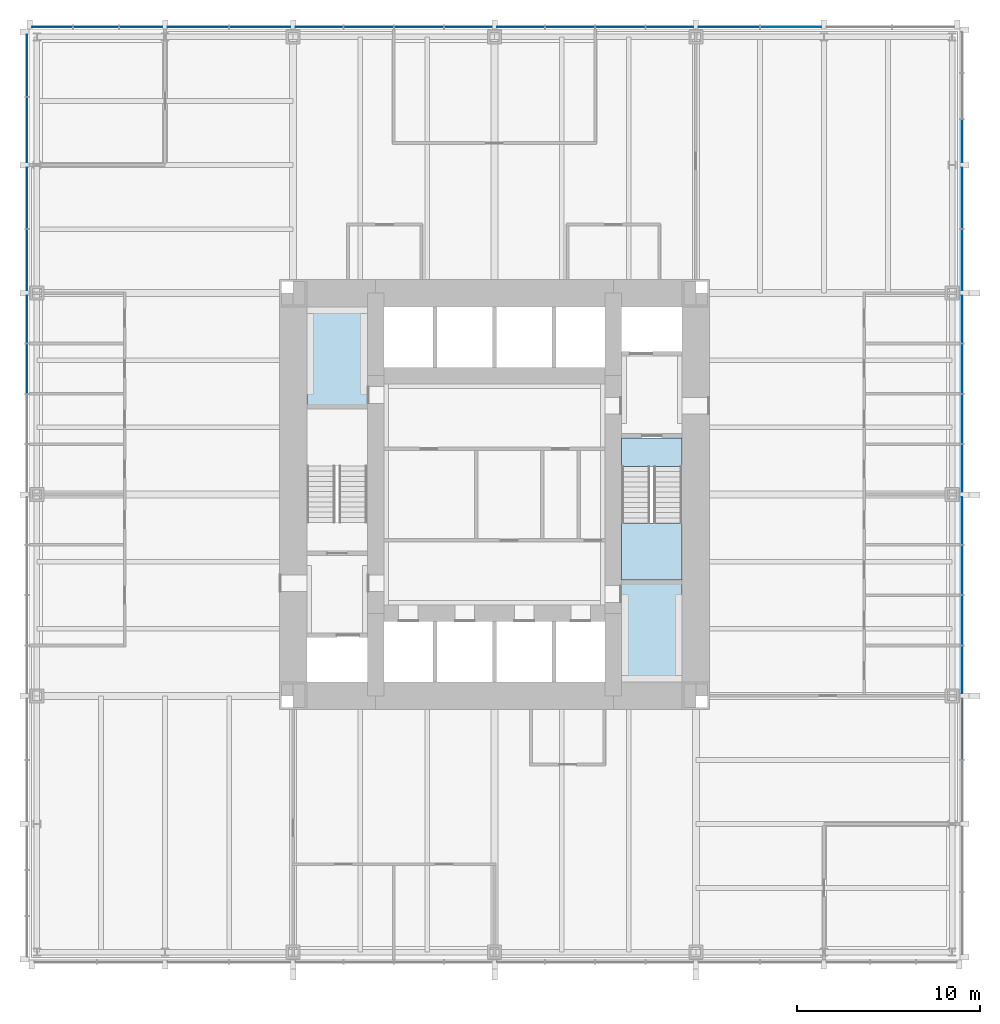
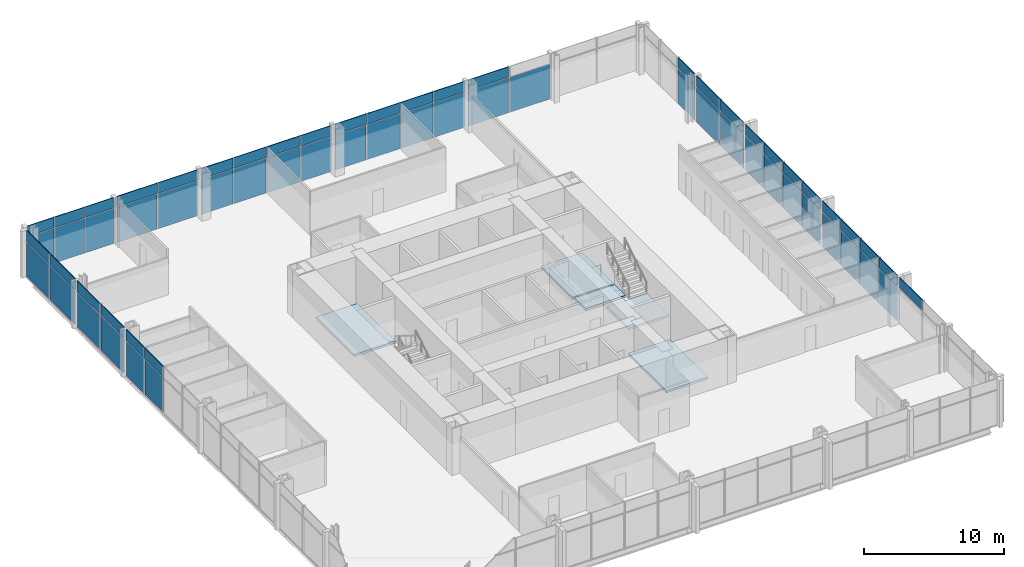
# One storey, part 8 of 13: 64 plates, 5 slabs, 4 elements without a shape of their own.
"""IFC4 building model written with IfcOpenShell, lengths in metres."""

from ifc_helpers import new_model, si_unit, direction, frame, origin, origin_2d, place, context, subcontext, project, spatial, polyline, rectangle, outline, extrude, material, layer, layer_set, type_object, element, aggregate, save


model = new_model("IFC4")

# Units and contexts
model_context = context("Model", 3, precision=1e-05, world=origin(), true_north=direction((0.0, 1.0)))
body_context = subcontext(model_context, "Body", "Model", "MODEL_VIEW")
ifc_project = project(units=[si_unit("LENGTHUNIT", "METRE"), si_unit("AREAUNIT", "SQUARE_METRE"), si_unit("VOLUMEUNIT", "CUBIC_METRE"), si_unit("PLANEANGLEUNIT", "RADIAN"), si_unit("MASSUNIT", "GRAM", prefix="KILO")], contexts=[model_context])

# Site, building, storey
site_placement = place(None, origin())
site = spatial("IfcSite", under=ifc_project, at=site_placement, CompositionType="ELEMENT")
building_placement = place(site_placement, origin())
building = spatial("IfcBuilding", under=site, at=building_placement, Name="Trevanion Tower", CompositionType="ELEMENT")
storey_placement = place(building_placement, frame((0.0, 0.0, 81.60009765625)))
storey = spatial("IfcBuildingStorey", under=building, at=storey_placement, Name="L19", CompositionType="ELEMENT", Elevation=81.60009765625)

# Curtain wall, plates
ifc_material_1 = material(Name="Aluminium and glass", Category="aluminium")
curtain_wall_type = type_object("IfcCurtainWallType", Name="CW1 curtain wall", PredefinedType="USERDEFINED", material=ifc_material_1)
curtain_wall_1_placement = place(storey_placement, origin())
curtain_wall_1 = element("IfcCurtainWall", 1, at=curtain_wall_1_placement, inside=storey, type_object=curtain_wall_type, Name="CW1 L19 0", ObjectType="UNITISED CURTAIN WALL", PredefinedType="USERDEFINED")
ifc_material_2 = material(Name="Aluminium spandrel panel", Category="aluminium")
ifc_layer_1 = layer(ifc_material_2, 0.06005859375)
ifc_layer_set_1 = layer_set([ifc_layer_1], Name="CW1 spandrel panel")
plate_type_1 = type_object("IfcPlateType", Name="CW1 spandrel panel", PredefinedType="CURTAIN_PANEL", material=ifc_layer_set_1)
plate_1_placement = place(storey_placement, frame((25.550048828125, -12.806396484375, 2.997314453125), z_axis=(0.0, 0.0, 1.0), x_axis=(0.0, 1.0, 0.0)))
plate_1 = element("IfcPlate", 2, at=plate_1_placement, type_object=plate_type_1, Name="CW1 panel 4.2", PredefinedType="CURTAIN_PANEL", context=body_context, shape_type="SweptSolid", body=[
    extrude(rectangle(XDim=3.3125, YDim=0.06005859375, at=origin_2d()), origin(), (0.0, 0.0, 1.0), 0.91259765625),
])
plate_2_placement = place(storey_placement, frame((25.550048828125, -9.56884765625, 2.997314453125), z_axis=(0.0, 0.0, 1.0), x_axis=(0.0, 1.0, 0.0)))
plate_2 = element("IfcPlate", 3, at=plate_2_placement, type_object=plate_type_1, Name="CW1 panel 5.2", PredefinedType="CURTAIN_PANEL", context=body_context, shape_type="SweptSolid", body=[
    extrude(rectangle(XDim=2.5625, YDim=0.06005859375, at=origin_2d()), origin(), (0.0, 0.0, 1.0), 0.91259765625),
])
plate_3_placement = place(storey_placement, frame((25.550048828125, -6.875, 2.997314453125), z_axis=(0.0, 0.0, 1.0), x_axis=(0.0, 1.0, 0.0)))
plate_3 = element("IfcPlate", 4, at=plate_3_placement, type_object=plate_type_1, Name="CW1 panel 6.2", PredefinedType="CURTAIN_PANEL", context=body_context, shape_type="SweptSolid", body=[
    extrude(rectangle(XDim=2.675048828125, YDim=0.06005859375, at=origin_2d()), origin(), (0.0, 0.0, 1.0), 0.91259765625),
])
plate_4_placement = place(storey_placement, frame((25.550048828125, -4.125, 2.997314453125), z_axis=(0.0, 0.0, 1.0), x_axis=(0.0, 1.0, 0.0)))
plate_4 = element("IfcPlate", 5, at=plate_4_placement, type_object=plate_type_1, Name="CW1 panel 7.2", PredefinedType="CURTAIN_PANEL", context=body_context, shape_type="SweptSolid", body=[
    extrude(rectangle(XDim=2.675048828125, YDim=0.06005859375, at=origin_2d()), origin(), (0.0, 0.0, 1.0), 0.91259765625),
])
plate_5_placement = place(storey_placement, frame((25.550048828125, -1.43115234375, 2.997314453125), z_axis=(0.0, 0.0, 1.0), x_axis=(0.0, 1.0, 0.0)))
plate_5 = element("IfcPlate", 6, at=plate_5_placement, type_object=plate_type_1, Name="CW1 panel 8.2", PredefinedType="CURTAIN_PANEL", context=body_context, shape_type="SweptSolid", body=[
    extrude(rectangle(XDim=2.5625, YDim=0.06005859375, at=origin_2d()), origin(), (0.0, 0.0, 1.0), 0.91259765625),
])
plate_6_placement = place(storey_placement, frame((25.550048828125, 1.43115234375, 2.997314453125), z_axis=(0.0, 0.0, 1.0), x_axis=(0.0, 1.0, 0.0)))
plate_6 = element("IfcPlate", 7, at=plate_6_placement, type_object=plate_type_1, Name="CW1 panel 9.2", PredefinedType="CURTAIN_PANEL", context=body_context, shape_type="SweptSolid", body=[
    extrude(rectangle(XDim=2.5625, YDim=0.06005859375, at=origin_2d()), origin(), (0.0, 0.0, 1.0), 0.91259765625),
])
plate_7_placement = place(storey_placement, frame((25.550048828125, 4.125, 2.997314453125), z_axis=(0.0, 0.0, 1.0), x_axis=(0.0, 1.0, 0.0)))
plate_7 = element("IfcPlate", 8, at=plate_7_placement, type_object=plate_type_1, Name="CW1 panel 10.2", PredefinedType="CURTAIN_PANEL", context=body_context, shape_type="SweptSolid", body=[
    extrude(rectangle(XDim=2.675048828125, YDim=0.06005859375, at=origin_2d()), origin(), (0.0, 0.0, 1.0), 0.91259765625),
])
plate_8_placement = place(storey_placement, frame((25.550048828125, 6.875, 2.997314453125), z_axis=(0.0, 0.0, 1.0), x_axis=(0.0, 1.0, 0.0)))
plate_8 = element("IfcPlate", 9, at=plate_8_placement, type_object=plate_type_1, Name="CW1 panel 11.2", PredefinedType="CURTAIN_PANEL", context=body_context, shape_type="SweptSolid", body=[
    extrude(rectangle(XDim=2.675048828125, YDim=0.06005859375, at=origin_2d()), origin(), (0.0, 0.0, 1.0), 0.91259765625),
])
plate_9_placement = place(storey_placement, frame((25.550048828125, 9.56884765625, 2.997314453125), z_axis=(0.0, 0.0, 1.0), x_axis=(0.0, 1.0, 0.0)))
plate_9 = element("IfcPlate", 10, at=plate_9_placement, type_object=plate_type_1, Name="CW1 panel 12.2", PredefinedType="CURTAIN_PANEL", context=body_context, shape_type="SweptSolid", body=[
    extrude(rectangle(XDim=2.5625, YDim=0.06005859375, at=origin_2d()), origin(), (0.0, 0.0, 1.0), 0.91259765625),
])
plate_10_placement = place(storey_placement, frame((25.550048828125, 12.80615234375, 2.997314453125), z_axis=(0.0, 0.0, 1.0), x_axis=(0.0, 1.0, 0.0)))
plate_10 = element("IfcPlate", 11, at=plate_10_placement, type_object=plate_type_1, Name="CW1 panel 13.2", PredefinedType="CURTAIN_PANEL", context=body_context, shape_type="SweptSolid", body=[
    extrude(rectangle(XDim=3.3125, YDim=0.06005859375, at=origin_2d()), origin(), (0.0, 0.0, 1.0), 0.91259765625),
])
plate_11_placement = place(storey_placement, frame((25.550048828125, 16.19384765625, 2.997314453125), z_axis=(0.0, 0.0, 1.0), x_axis=(0.0, 1.0, 0.0)))
plate_11 = element("IfcPlate", 12, at=plate_11_placement, type_object=plate_type_1, Name="CW1 panel 14.2", PredefinedType="CURTAIN_PANEL", context=body_context, shape_type="SweptSolid", body=[
    extrude(rectangle(XDim=3.3125, YDim=0.06005859375, at=origin_2d()), origin(), (0.0, 0.0, 1.0), 0.91259765625),
])
plate_12_placement = place(storey_placement, frame((25.550048828125, 19.314697265625, 2.997314453125), z_axis=(0.0, 0.0, 1.0), x_axis=(0.0, 1.0, 0.0)))
plate_12 = element("IfcPlate", 13, at=plate_12_placement, type_object=plate_type_1, Name="CW1 panel 15.2", PredefinedType="CURTAIN_PANEL", context=body_context, shape_type="SweptSolid", body=[
    extrude(rectangle(XDim=2.3291015625, YDim=0.06005859375, at=origin_2d()), origin(), (0.0, 0.0, 1.0), 0.91259765625),
])

curtain_wall_2_placement = place(storey_placement, origin())
curtain_wall_2 = element("IfcCurtainWall", 14, at=curtain_wall_2_placement, inside=storey, type_object=curtain_wall_type, Name="CW1 L19 1", ObjectType="UNITISED CURTAIN WALL", PredefinedType="USERDEFINED")
plate_13_placement = place(storey_placement, frame((12.806396484375, 25.550048828125, 2.997314453125), z_axis=(0.0, 0.0, 1.0), x_axis=(-1.0, 0.0, 0.0)))
plate_13 = element("IfcPlate", 15, at=plate_13_placement, type_object=plate_type_1, Name="CW1 panel 4.2", PredefinedType="CURTAIN_PANEL", context=body_context, shape_type="SweptSolid", body=[
    extrude(rectangle(XDim=3.3125, YDim=0.06005859375, at=origin_2d()), origin(), (0.0, 0.0, 1.0), 0.91259765625),
])
plate_14_placement = place(storey_placement, frame((9.56884765625, 25.550048828125, 2.997314453125), z_axis=(0.0, 0.0, 1.0), x_axis=(-1.0, 0.0, 0.0)))
plate_14 = element("IfcPlate", 16, at=plate_14_placement, type_object=plate_type_1, Name="CW1 panel 5.2", PredefinedType="CURTAIN_PANEL", context=body_context, shape_type="SweptSolid", body=[
    extrude(rectangle(XDim=2.5625, YDim=0.06005859375, at=origin_2d()), origin(), (0.0, 0.0, 1.0), 0.91259765625),
])
plate_15_placement = place(storey_placement, frame((6.875, 25.550048828125, 2.997314453125), z_axis=(0.0, 0.0, 1.0), x_axis=(-1.0, 0.0, 0.0)))
plate_15 = element("IfcPlate", 17, at=plate_15_placement, type_object=plate_type_1, Name="CW1 panel 6.2", PredefinedType="CURTAIN_PANEL", context=body_context, shape_type="SweptSolid", body=[
    extrude(rectangle(XDim=2.675048828125, YDim=0.06005859375, at=origin_2d()), origin(), (0.0, 0.0, 1.0), 0.91259765625),
])
plate_16_placement = place(storey_placement, frame((4.125, 25.550048828125, 2.997314453125), z_axis=(0.0, 0.0, 1.0), x_axis=(-1.0, 0.0, 0.0)))
plate_16 = element("IfcPlate", 18, at=plate_16_placement, type_object=plate_type_1, Name="CW1 panel 7.2", PredefinedType="CURTAIN_PANEL", context=body_context, shape_type="SweptSolid", body=[
    extrude(rectangle(XDim=2.675048828125, YDim=0.06005859375, at=origin_2d()), origin(), (0.0, 0.0, 1.0), 0.91259765625),
])
plate_17_placement = place(storey_placement, frame((1.43115234375, 25.550048828125, 2.997314453125), z_axis=(0.0, 0.0, 1.0), x_axis=(-1.0, 0.0, 0.0)))
plate_17 = element("IfcPlate", 19, at=plate_17_placement, type_object=plate_type_1, Name="CW1 panel 8.2", PredefinedType="CURTAIN_PANEL", context=body_context, shape_type="SweptSolid", body=[
    extrude(rectangle(XDim=2.5625, YDim=0.06005859375, at=origin_2d()), origin(), (0.0, 0.0, 1.0), 0.91259765625),
])
plate_18_placement = place(storey_placement, frame((-1.43115234375, 25.550048828125, 2.997314453125), z_axis=(0.0, 0.0, 1.0), x_axis=(-1.0, 0.0, 0.0)))
plate_18 = element("IfcPlate", 20, at=plate_18_placement, type_object=plate_type_1, Name="CW1 panel 9.2", PredefinedType="CURTAIN_PANEL", context=body_context, shape_type="SweptSolid", body=[
    extrude(rectangle(XDim=2.5625, YDim=0.06005859375, at=origin_2d()), origin(), (0.0, 0.0, 1.0), 0.91259765625),
])
plate_19_placement = place(storey_placement, frame((-4.125, 25.550048828125, 2.997314453125), z_axis=(0.0, 0.0, 1.0), x_axis=(-1.0, 0.0, 0.0)))
plate_19 = element("IfcPlate", 21, at=plate_19_placement, type_object=plate_type_1, Name="CW1 panel 10.2", PredefinedType="CURTAIN_PANEL", context=body_context, shape_type="SweptSolid", body=[
    extrude(rectangle(XDim=2.675048828125, YDim=0.06005859375, at=origin_2d()), origin(), (0.0, 0.0, 1.0), 0.91259765625),
])
plate_20_placement = place(storey_placement, frame((-6.875, 25.550048828125, 2.997314453125), z_axis=(0.0, 0.0, 1.0), x_axis=(-1.0, 0.0, 0.0)))
plate_20 = element("IfcPlate", 22, at=plate_20_placement, type_object=plate_type_1, Name="CW1 panel 11.2", PredefinedType="CURTAIN_PANEL", context=body_context, shape_type="SweptSolid", body=[
    extrude(rectangle(XDim=2.675048828125, YDim=0.06005859375, at=origin_2d()), origin(), (0.0, 0.0, 1.0), 0.91259765625),
])
plate_21_placement = place(storey_placement, frame((-9.56884765625, 25.550048828125, 2.997314453125), z_axis=(0.0, 0.0, 1.0), x_axis=(-1.0, 0.0, 0.0)))
plate_21 = element("IfcPlate", 23, at=plate_21_placement, type_object=plate_type_1, Name="CW1 panel 12.2", PredefinedType="CURTAIN_PANEL", context=body_context, shape_type="SweptSolid", body=[
    extrude(rectangle(XDim=2.5625, YDim=0.06005859375, at=origin_2d()), origin(), (0.0, 0.0, 1.0), 0.91259765625),
])
plate_22_placement = place(storey_placement, frame((-12.80615234375, 25.550048828125, 2.997314453125), z_axis=(0.0, 0.0, 1.0), x_axis=(-1.0, 0.0, 0.0)))
plate_22 = element("IfcPlate", 24, at=plate_22_placement, type_object=plate_type_1, Name="CW1 panel 13.2", PredefinedType="CURTAIN_PANEL", context=body_context, shape_type="SweptSolid", body=[
    extrude(rectangle(XDim=3.3125, YDim=0.06005859375, at=origin_2d()), origin(), (0.0, 0.0, 1.0), 0.91259765625),
])
plate_23_placement = place(storey_placement, frame((-16.19384765625, 25.550048828125, 2.997314453125), z_axis=(0.0, 0.0, 1.0), x_axis=(-1.0, 0.0, 0.0)))
plate_23 = element("IfcPlate", 25, at=plate_23_placement, type_object=plate_type_1, Name="CW1 panel 14.2", PredefinedType="CURTAIN_PANEL", context=body_context, shape_type="SweptSolid", body=[
    extrude(rectangle(XDim=3.3125, YDim=0.06005859375, at=origin_2d()), origin(), (0.0, 0.0, 1.0), 0.91259765625),
])
plate_24_placement = place(storey_placement, frame((-19.314697265625, 25.550048828125, 2.997314453125), z_axis=(0.0, 0.0, 1.0), x_axis=(-1.0, 0.0, 0.0)))
plate_24 = element("IfcPlate", 26, at=plate_24_placement, type_object=plate_type_1, Name="CW1 panel 15.2", PredefinedType="CURTAIN_PANEL", context=body_context, shape_type="SweptSolid", body=[
    extrude(rectangle(XDim=2.3291015625, YDim=0.06005859375, at=origin_2d()), origin(), (0.0, 0.0, 1.0), 0.91259765625),
])
plate_25_placement = place(storey_placement, frame((-21.77490234375, 25.550048828125, 2.997314453125), z_axis=(0.0, 0.0, 1.0), x_axis=(-1.0, 0.0, 0.0)))
plate_25 = element("IfcPlate", 27, at=plate_25_placement, type_object=plate_type_1, Name="CW1 panel 16.2", PredefinedType="CURTAIN_PANEL", context=body_context, shape_type="SweptSolid", body=[
    extrude(rectangle(XDim=2.441650390625, YDim=0.06005859375, at=origin_2d()), origin(), (0.0, 0.0, 1.0), 0.91259765625),
])
plate_26_placement = place(storey_placement, frame((-24.160400390625, 25.550048828125, 2.997314453125), z_axis=(0.0, 0.0, 1.0), x_axis=(-1.0, 0.0, 0.0)))
plate_26 = element("IfcPlate", 28, at=plate_26_placement, type_object=plate_type_1, Name="CW1 panel 17.2", PredefinedType="CURTAIN_PANEL", context=body_context, shape_type="SweptSolid", body=[
    extrude(rectangle(XDim=2.17919921875, YDim=0.06005859375, at=origin_2d()), origin(), (0.0, 0.0, 1.0), 0.91259765625),
])

curtain_wall_3_placement = place(storey_placement, origin())
curtain_wall_3 = element("IfcCurtainWall", 29, at=curtain_wall_3_placement, inside=storey, type_object=curtain_wall_type, Name="CW1 L19 2", ObjectType="UNITISED CURTAIN WALL", PredefinedType="USERDEFINED")
plate_27_placement = place(storey_placement, frame((-25.550048828125, 23.433837890625, 2.997314453125), z_axis=(0.0, 0.0, 1.0), x_axis=(0.0, -1.0, 0.0)))
plate_27 = element("IfcPlate", 30, at=plate_27_placement, type_object=plate_type_1, Name="CW1 panel 1.2", PredefinedType="CURTAIN_PANEL", context=body_context, shape_type="SweptSolid", body=[
    extrude(rectangle(XDim=3.37255859375, YDim=0.06005859375, at=origin_2d()), origin(), (0.0, 0.0, 1.0), 0.91259765625),
])
plate_28_placement = place(storey_placement, frame((-25.550048828125, 19.911376953125, 2.997314453125), z_axis=(0.0, 0.0, 1.0), x_axis=(0.0, -1.0, 0.0)))
plate_28 = element("IfcPlate", 31, at=plate_28_placement, type_object=plate_type_1, Name="CW1 panel 2.2", PredefinedType="CURTAIN_PANEL", context=body_context, shape_type="SweptSolid", body=[
    extrude(rectangle(XDim=3.5224609375, YDim=0.06005859375, at=origin_2d()), origin(), (0.0, 0.0, 1.0), 0.91259765625),
])
plate_29_placement = place(storey_placement, frame((-25.550048828125, 16.19384765625, 2.997314453125), z_axis=(0.0, 0.0, 1.0), x_axis=(0.0, -1.0, 0.0)))
plate_29 = element("IfcPlate", 32, at=plate_29_placement, type_object=plate_type_1, Name="CW1 panel 3.2", PredefinedType="CURTAIN_PANEL", context=body_context, shape_type="SweptSolid", body=[
    extrude(rectangle(XDim=3.3125, YDim=0.06005859375, at=origin_2d()), origin(), (0.0, 0.0, 1.0), 0.91259765625),
])
plate_30_placement = place(storey_placement, frame((-25.550048828125, 12.806396484375, 2.997314453125), z_axis=(0.0, 0.0, 1.0), x_axis=(0.0, -1.0, 0.0)))
plate_30 = element("IfcPlate", 33, at=plate_30_placement, type_object=plate_type_1, Name="CW1 panel 4.2", PredefinedType="CURTAIN_PANEL", context=body_context, shape_type="SweptSolid", body=[
    extrude(rectangle(XDim=3.3125, YDim=0.06005859375, at=origin_2d()), origin(), (0.0, 0.0, 1.0), 0.91259765625),
])
plate_31_placement = place(storey_placement, frame((-25.550048828125, 9.56884765625, 2.997314453125), z_axis=(0.0, 0.0, 1.0), x_axis=(0.0, -1.0, 0.0)))
plate_31 = element("IfcPlate", 34, at=plate_31_placement, type_object=plate_type_1, Name="CW1 panel 5.2", PredefinedType="CURTAIN_PANEL", context=body_context, shape_type="SweptSolid", body=[
    extrude(rectangle(XDim=2.5625, YDim=0.06005859375, at=origin_2d()), origin(), (0.0, 0.0, 1.0), 0.91259765625),
])
plate_32_placement = place(storey_placement, frame((-25.550048828125, 6.875, 2.997314453125), z_axis=(0.0, 0.0, 1.0), x_axis=(0.0, -1.0, 0.0)))
plate_32 = element("IfcPlate", 35, at=plate_32_placement, type_object=plate_type_1, Name="CW1 panel 6.2", PredefinedType="CURTAIN_PANEL", context=body_context, shape_type="SweptSolid", body=[
    extrude(rectangle(XDim=2.675048828125, YDim=0.06005859375, at=origin_2d()), origin(), (0.0, 0.0, 1.0), 0.91259765625),
])

# Plate
ifc_material_3 = material(Name="Insulating glass unit", Category="glass")
ifc_layer_2 = layer(ifc_material_3, 0.028076171875)
ifc_layer_set_2 = layer_set([ifc_layer_2], Name="CW1 vision panel")
plate_type_2 = type_object("IfcPlateType", Name="CW1 vision panel", PredefinedType="CURTAIN_PANEL", material=ifc_layer_set_2)
plate_33_placement = place(storey_placement, frame((25.550048828125, -9.56884765625, -0.115234375), z_axis=(0.0, 0.0, 1.0), x_axis=(0.0, 1.0, 0.0)))
plate_33 = element("IfcPlate", 36, at=plate_33_placement, type_object=plate_type_2, Name="CW1 panel 5.1", PredefinedType="CURTAIN_PANEL", context=body_context, shape_type="SweptSolid", body=[
    extrude(rectangle(XDim=2.5625, YDim=0.028076171875, at=origin_2d()), origin(), (0.0, 0.0, 1.0), 3.03759765625),
])

plate_34_placement = place(storey_placement, frame((25.550048828125, -6.875, -0.115234375), z_axis=(0.0, 0.0, 1.0), x_axis=(0.0, 1.0, 0.0)))
plate_34 = element("IfcPlate", 37, at=plate_34_placement, type_object=plate_type_2, Name="CW1 panel 6.1", PredefinedType="CURTAIN_PANEL", context=body_context, shape_type="SweptSolid", body=[
    extrude(rectangle(XDim=2.675048828125, YDim=0.028076171875, at=origin_2d()), origin(), (0.0, 0.0, 1.0), 3.03759765625),
])

plate_35_placement = place(storey_placement, frame((25.550048828125, -4.125, -0.115234375), z_axis=(0.0, 0.0, 1.0), x_axis=(0.0, 1.0, 0.0)))
plate_35 = element("IfcPlate", 38, at=plate_35_placement, type_object=plate_type_2, Name="CW1 panel 7.1", PredefinedType="CURTAIN_PANEL", context=body_context, shape_type="SweptSolid", body=[
    extrude(rectangle(XDim=2.675048828125, YDim=0.028076171875, at=origin_2d()), origin(), (0.0, 0.0, 1.0), 3.03759765625),
])

plate_36_placement = place(storey_placement, frame((25.550048828125, -1.43115234375, -0.115234375), z_axis=(0.0, 0.0, 1.0), x_axis=(0.0, 1.0, 0.0)))
plate_36 = element("IfcPlate", 39, at=plate_36_placement, type_object=plate_type_2, Name="CW1 panel 8.1", PredefinedType="CURTAIN_PANEL", context=body_context, shape_type="SweptSolid", body=[
    extrude(rectangle(XDim=2.5625, YDim=0.028076171875, at=origin_2d()), origin(), (0.0, 0.0, 1.0), 3.03759765625),
])

plate_37_placement = place(storey_placement, frame((25.550048828125, 1.43115234375, -0.115234375), z_axis=(0.0, 0.0, 1.0), x_axis=(0.0, 1.0, 0.0)))
plate_37 = element("IfcPlate", 40, at=plate_37_placement, type_object=plate_type_2, Name="CW1 panel 9.1", PredefinedType="CURTAIN_PANEL", context=body_context, shape_type="SweptSolid", body=[
    extrude(rectangle(XDim=2.5625, YDim=0.028076171875, at=origin_2d()), origin(), (0.0, 0.0, 1.0), 3.03759765625),
])

plate_38_placement = place(storey_placement, frame((25.550048828125, 4.125, -0.115234375), z_axis=(0.0, 0.0, 1.0), x_axis=(0.0, 1.0, 0.0)))
plate_38 = element("IfcPlate", 41, at=plate_38_placement, type_object=plate_type_2, Name="CW1 panel 10.1", PredefinedType="CURTAIN_PANEL", context=body_context, shape_type="SweptSolid", body=[
    extrude(rectangle(XDim=2.675048828125, YDim=0.028076171875, at=origin_2d()), origin(), (0.0, 0.0, 1.0), 3.03759765625),
])

plate_39_placement = place(storey_placement, frame((25.550048828125, 6.875, -0.115234375), z_axis=(0.0, 0.0, 1.0), x_axis=(0.0, 1.0, 0.0)))
plate_39 = element("IfcPlate", 42, at=plate_39_placement, type_object=plate_type_2, Name="CW1 panel 11.1", PredefinedType="CURTAIN_PANEL", context=body_context, shape_type="SweptSolid", body=[
    extrude(rectangle(XDim=2.675048828125, YDim=0.028076171875, at=origin_2d()), origin(), (0.0, 0.0, 1.0), 3.03759765625),
])

plate_40_placement = place(storey_placement, frame((25.550048828125, 9.56884765625, -0.115234375), z_axis=(0.0, 0.0, 1.0), x_axis=(0.0, 1.0, 0.0)))
plate_40 = element("IfcPlate", 43, at=plate_40_placement, type_object=plate_type_2, Name="CW1 panel 12.1", PredefinedType="CURTAIN_PANEL", context=body_context, shape_type="SweptSolid", body=[
    extrude(rectangle(XDim=2.5625, YDim=0.028076171875, at=origin_2d()), origin(), (0.0, 0.0, 1.0), 3.03759765625),
])

plate_41_placement = place(storey_placement, frame((25.550048828125, 12.80615234375, -0.115234375), z_axis=(0.0, 0.0, 1.0), x_axis=(0.0, 1.0, 0.0)))
plate_41 = element("IfcPlate", 44, at=plate_41_placement, type_object=plate_type_2, Name="CW1 panel 13.1", PredefinedType="CURTAIN_PANEL", context=body_context, shape_type="SweptSolid", body=[
    extrude(rectangle(XDim=3.3125, YDim=0.028076171875, at=origin_2d()), origin(), (0.0, 0.0, 1.0), 3.03759765625),
])

plate_42_placement = place(storey_placement, frame((25.550048828125, 16.19384765625, -0.115234375), z_axis=(0.0, 0.0, 1.0), x_axis=(0.0, 1.0, 0.0)))
plate_42 = element("IfcPlate", 45, at=plate_42_placement, type_object=plate_type_2, Name="CW1 panel 14.1", PredefinedType="CURTAIN_PANEL", context=body_context, shape_type="SweptSolid", body=[
    extrude(rectangle(XDim=3.3125, YDim=0.028076171875, at=origin_2d()), origin(), (0.0, 0.0, 1.0), 3.03759765625),
])

plate_43_placement = place(storey_placement, frame((25.550048828125, 19.314697265625, -0.115234375), z_axis=(0.0, 0.0, 1.0), x_axis=(0.0, 1.0, 0.0)))
plate_43 = element("IfcPlate", 46, at=plate_43_placement, type_object=plate_type_2, Name="CW1 panel 15.1", PredefinedType="CURTAIN_PANEL", context=body_context, shape_type="SweptSolid", body=[
    extrude(rectangle(XDim=2.3291015625, YDim=0.028076171875, at=origin_2d()), origin(), (0.0, 0.0, 1.0), 3.03759765625),
])

aggregate(curtain_wall_1, [plate_1, plate_33, plate_2, plate_34, plate_3, plate_35, plate_4, plate_36, plate_5, plate_37, plate_6, plate_38, plate_7, plate_39, plate_8, plate_40, plate_9, plate_41, plate_10, plate_42, plate_11, plate_43, plate_12])

plate_44_placement = place(storey_placement, frame((16.19384765625, 25.550048828125, -0.115234375), z_axis=(0.0, 0.0, 1.0), x_axis=(-1.0, 0.0, 0.0)))
plate_44 = element("IfcPlate", 47, at=plate_44_placement, type_object=plate_type_2, Name="CW1 panel 3.1", PredefinedType="CURTAIN_PANEL", context=body_context, shape_type="SweptSolid", body=[
    extrude(rectangle(XDim=3.3125, YDim=0.028076171875, at=origin_2d()), origin(), (0.0, 0.0, 1.0), 3.03759765625),
])

plate_45_placement = place(storey_placement, frame((12.806396484375, 25.550048828125, -0.115234375), z_axis=(0.0, 0.0, 1.0), x_axis=(-1.0, 0.0, 0.0)))
plate_45 = element("IfcPlate", 48, at=plate_45_placement, type_object=plate_type_2, Name="CW1 panel 4.1", PredefinedType="CURTAIN_PANEL", context=body_context, shape_type="SweptSolid", body=[
    extrude(rectangle(XDim=3.3125, YDim=0.028076171875, at=origin_2d()), origin(), (0.0, 0.0, 1.0), 3.03759765625),
])

plate_46_placement = place(storey_placement, frame((9.56884765625, 25.550048828125, -0.115234375), z_axis=(0.0, 0.0, 1.0), x_axis=(-1.0, 0.0, 0.0)))
plate_46 = element("IfcPlate", 49, at=plate_46_placement, type_object=plate_type_2, Name="CW1 panel 5.1", PredefinedType="CURTAIN_PANEL", context=body_context, shape_type="SweptSolid", body=[
    extrude(rectangle(XDim=2.5625, YDim=0.028076171875, at=origin_2d()), origin(), (0.0, 0.0, 1.0), 3.03759765625),
])

plate_47_placement = place(storey_placement, frame((6.875, 25.550048828125, -0.115234375), z_axis=(0.0, 0.0, 1.0), x_axis=(-1.0, 0.0, 0.0)))
plate_47 = element("IfcPlate", 50, at=plate_47_placement, type_object=plate_type_2, Name="CW1 panel 6.1", PredefinedType="CURTAIN_PANEL", context=body_context, shape_type="SweptSolid", body=[
    extrude(rectangle(XDim=2.675048828125, YDim=0.028076171875, at=origin_2d()), origin(), (0.0, 0.0, 1.0), 3.03759765625),
])

plate_48_placement = place(storey_placement, frame((4.125, 25.550048828125, -0.115234375), z_axis=(0.0, 0.0, 1.0), x_axis=(-1.0, 0.0, 0.0)))
plate_48 = element("IfcPlate", 51, at=plate_48_placement, type_object=plate_type_2, Name="CW1 panel 7.1", PredefinedType="CURTAIN_PANEL", context=body_context, shape_type="SweptSolid", body=[
    extrude(rectangle(XDim=2.675048828125, YDim=0.028076171875, at=origin_2d()), origin(), (0.0, 0.0, 1.0), 3.03759765625),
])

plate_49_placement = place(storey_placement, frame((1.43115234375, 25.550048828125, -0.115234375), z_axis=(0.0, 0.0, 1.0), x_axis=(-1.0, 0.0, 0.0)))
plate_49 = element("IfcPlate", 52, at=plate_49_placement, type_object=plate_type_2, Name="CW1 panel 8.1", PredefinedType="CURTAIN_PANEL", context=body_context, shape_type="SweptSolid", body=[
    extrude(rectangle(XDim=2.5625, YDim=0.028076171875, at=origin_2d()), origin(), (0.0, 0.0, 1.0), 3.03759765625),
])

plate_50_placement = place(storey_placement, frame((-1.43115234375, 25.550048828125, -0.115234375), z_axis=(0.0, 0.0, 1.0), x_axis=(-1.0, 0.0, 0.0)))
plate_50 = element("IfcPlate", 53, at=plate_50_placement, type_object=plate_type_2, Name="CW1 panel 9.1", PredefinedType="CURTAIN_PANEL", context=body_context, shape_type="SweptSolid", body=[
    extrude(rectangle(XDim=2.5625, YDim=0.028076171875, at=origin_2d()), origin(), (0.0, 0.0, 1.0), 3.03759765625),
])

plate_51_placement = place(storey_placement, frame((-4.125, 25.550048828125, -0.115234375), z_axis=(0.0, 0.0, 1.0), x_axis=(-1.0, 0.0, 0.0)))
plate_51 = element("IfcPlate", 54, at=plate_51_placement, type_object=plate_type_2, Name="CW1 panel 10.1", PredefinedType="CURTAIN_PANEL", context=body_context, shape_type="SweptSolid", body=[
    extrude(rectangle(XDim=2.675048828125, YDim=0.028076171875, at=origin_2d()), origin(), (0.0, 0.0, 1.0), 3.03759765625),
])

plate_52_placement = place(storey_placement, frame((-6.875, 25.550048828125, -0.115234375), z_axis=(0.0, 0.0, 1.0), x_axis=(-1.0, 0.0, 0.0)))
plate_52 = element("IfcPlate", 55, at=plate_52_placement, type_object=plate_type_2, Name="CW1 panel 11.1", PredefinedType="CURTAIN_PANEL", context=body_context, shape_type="SweptSolid", body=[
    extrude(rectangle(XDim=2.675048828125, YDim=0.028076171875, at=origin_2d()), origin(), (0.0, 0.0, 1.0), 3.03759765625),
])

plate_53_placement = place(storey_placement, frame((-9.56884765625, 25.550048828125, -0.115234375), z_axis=(0.0, 0.0, 1.0), x_axis=(-1.0, 0.0, 0.0)))
plate_53 = element("IfcPlate", 56, at=plate_53_placement, type_object=plate_type_2, Name="CW1 panel 12.1", PredefinedType="CURTAIN_PANEL", context=body_context, shape_type="SweptSolid", body=[
    extrude(rectangle(XDim=2.5625, YDim=0.028076171875, at=origin_2d()), origin(), (0.0, 0.0, 1.0), 3.03759765625),
])

plate_54_placement = place(storey_placement, frame((-12.80615234375, 25.550048828125, -0.115234375), z_axis=(0.0, 0.0, 1.0), x_axis=(-1.0, 0.0, 0.0)))
plate_54 = element("IfcPlate", 57, at=plate_54_placement, type_object=plate_type_2, Name="CW1 panel 13.1", PredefinedType="CURTAIN_PANEL", context=body_context, shape_type="SweptSolid", body=[
    extrude(rectangle(XDim=3.3125, YDim=0.028076171875, at=origin_2d()), origin(), (0.0, 0.0, 1.0), 3.03759765625),
])

plate_55_placement = place(storey_placement, frame((-16.19384765625, 25.550048828125, -0.115234375), z_axis=(0.0, 0.0, 1.0), x_axis=(-1.0, 0.0, 0.0)))
plate_55 = element("IfcPlate", 58, at=plate_55_placement, type_object=plate_type_2, Name="CW1 panel 14.1", PredefinedType="CURTAIN_PANEL", context=body_context, shape_type="SweptSolid", body=[
    extrude(rectangle(XDim=3.3125, YDim=0.028076171875, at=origin_2d()), origin(), (0.0, 0.0, 1.0), 3.03759765625),
])

plate_56_placement = place(storey_placement, frame((-19.314697265625, 25.550048828125, -0.115234375), z_axis=(0.0, 0.0, 1.0), x_axis=(-1.0, 0.0, 0.0)))
plate_56 = element("IfcPlate", 59, at=plate_56_placement, type_object=plate_type_2, Name="CW1 panel 15.1", PredefinedType="CURTAIN_PANEL", context=body_context, shape_type="SweptSolid", body=[
    extrude(rectangle(XDim=2.3291015625, YDim=0.028076171875, at=origin_2d()), origin(), (0.0, 0.0, 1.0), 3.03759765625),
])

plate_57_placement = place(storey_placement, frame((-21.77490234375, 25.550048828125, -0.115234375), z_axis=(0.0, 0.0, 1.0), x_axis=(-1.0, 0.0, 0.0)))
plate_57 = element("IfcPlate", 60, at=plate_57_placement, type_object=plate_type_2, Name="CW1 panel 16.1", PredefinedType="CURTAIN_PANEL", context=body_context, shape_type="SweptSolid", body=[
    extrude(rectangle(XDim=2.441650390625, YDim=0.028076171875, at=origin_2d()), origin(), (0.0, 0.0, 1.0), 3.03759765625),
])

plate_58_placement = place(storey_placement, frame((-24.160400390625, 25.550048828125, -0.115234375), z_axis=(0.0, 0.0, 1.0), x_axis=(-1.0, 0.0, 0.0)))
plate_58 = element("IfcPlate", 61, at=plate_58_placement, type_object=plate_type_2, Name="CW1 panel 17.1", PredefinedType="CURTAIN_PANEL", context=body_context, shape_type="SweptSolid", body=[
    extrude(rectangle(XDim=2.17919921875, YDim=0.028076171875, at=origin_2d()), origin(), (0.0, 0.0, 1.0), 3.03759765625),
])

aggregate(curtain_wall_2, [plate_44, plate_45, plate_13, plate_46, plate_14, plate_47, plate_15, plate_48, plate_16, plate_49, plate_17, plate_50, plate_18, plate_51, plate_19, plate_52, plate_20, plate_53, plate_21, plate_54, plate_22, plate_55, plate_23, plate_56, plate_24, plate_57, plate_25, plate_58, plate_26])

plate_59_placement = place(storey_placement, frame((-25.550048828125, 23.433837890625, -0.115234375), z_axis=(0.0, 0.0, 1.0), x_axis=(0.0, -1.0, 0.0)))
plate_59 = element("IfcPlate", 62, at=plate_59_placement, type_object=plate_type_2, Name="CW1 panel 1.1", PredefinedType="CURTAIN_PANEL", context=body_context, shape_type="SweptSolid", body=[
    extrude(rectangle(XDim=3.37255859375, YDim=0.028076171875, at=origin_2d()), origin(), (0.0, 0.0, 1.0), 3.03759765625),
])

plate_60_placement = place(storey_placement, frame((-25.550048828125, 19.911376953125, -0.115234375), z_axis=(0.0, 0.0, 1.0), x_axis=(0.0, -1.0, 0.0)))
plate_60 = element("IfcPlate", 63, at=plate_60_placement, type_object=plate_type_2, Name="CW1 panel 2.1", PredefinedType="CURTAIN_PANEL", context=body_context, shape_type="SweptSolid", body=[
    extrude(rectangle(XDim=3.5224609375, YDim=0.028076171875, at=origin_2d()), origin(), (0.0, 0.0, 1.0), 3.03759765625),
])

plate_61_placement = place(storey_placement, frame((-25.550048828125, 16.19384765625, -0.115234375), z_axis=(0.0, 0.0, 1.0), x_axis=(0.0, -1.0, 0.0)))
plate_61 = element("IfcPlate", 64, at=plate_61_placement, type_object=plate_type_2, Name="CW1 panel 3.1", PredefinedType="CURTAIN_PANEL", context=body_context, shape_type="SweptSolid", body=[
    extrude(rectangle(XDim=3.3125, YDim=0.028076171875, at=origin_2d()), origin(), (0.0, 0.0, 1.0), 3.03759765625),
])

plate_62_placement = place(storey_placement, frame((-25.550048828125, 12.806396484375, -0.115234375), z_axis=(0.0, 0.0, 1.0), x_axis=(0.0, -1.0, 0.0)))
plate_62 = element("IfcPlate", 65, at=plate_62_placement, type_object=plate_type_2, Name="CW1 panel 4.1", PredefinedType="CURTAIN_PANEL", context=body_context, shape_type="SweptSolid", body=[
    extrude(rectangle(XDim=3.3125, YDim=0.028076171875, at=origin_2d()), origin(), (0.0, 0.0, 1.0), 3.03759765625),
])

plate_63_placement = place(storey_placement, frame((-25.550048828125, 9.56884765625, -0.115234375), z_axis=(0.0, 0.0, 1.0), x_axis=(0.0, -1.0, 0.0)))
plate_63 = element("IfcPlate", 66, at=plate_63_placement, type_object=plate_type_2, Name="CW1 panel 5.1", PredefinedType="CURTAIN_PANEL", context=body_context, shape_type="SweptSolid", body=[
    extrude(rectangle(XDim=2.5625, YDim=0.028076171875, at=origin_2d()), origin(), (0.0, 0.0, 1.0), 3.03759765625),
])

plate_64_placement = place(storey_placement, frame((-25.550048828125, 6.875, -0.115234375), z_axis=(0.0, 0.0, 1.0), x_axis=(0.0, -1.0, 0.0)))
plate_64 = element("IfcPlate", 67, at=plate_64_placement, type_object=plate_type_2, Name="CW1 panel 6.1", PredefinedType="CURTAIN_PANEL", context=body_context, shape_type="SweptSolid", body=[
    extrude(rectangle(XDim=2.675048828125, YDim=0.028076171875, at=origin_2d()), origin(), (0.0, 0.0, 1.0), 3.03759765625),
])

aggregate(curtain_wall_3, [plate_59, plate_27, plate_60, plate_28, plate_61, plate_29, plate_62, plate_30, plate_63, plate_31, plate_64, plate_32])

# Slabs
ifc_material_4 = material(Name="Concrete 5,000 psi", Category="concrete")
ifc_layer_3 = layer(ifc_material_4, 0.199951171875)
ifc_layer_set_3 = layer_set([ifc_layer_3], Name="SL2 core floor 200")
slab_type_1 = type_object("IfcSlabType", Name="SL2 core floor 200", PredefinedType="FLOOR", material=ifc_layer_set_3)
slab_1_placement = place(storey_placement, frame((0.0, 0.0, -0.2001953125)))
element("IfcSlab", 68, at=slab_1_placement, inside=storey, type_object=slab_type_1, Name="SL2 L19 core floor 1", PredefinedType="FLOOR", context=body_context, shape_type="SweptSolid", body=[
    extrude(outline(polyline([(10.25, -4.804931640625), (10.25, -10.25), (6.830078125, -10.25), (6.830078125, -4.804931640625), (10.25, -4.804931640625)])), origin(), (0.0, 0.0, 1.0), 0.2001953125),
])
slab_2_placement = place(storey_placement, frame((0.0, 0.0, -0.2001953125)))
element("IfcSlab", 69, at=slab_2_placement, inside=storey, type_object=slab_type_1, Name="SL2 L19 core floor 4", PredefinedType="FLOOR", context=body_context, shape_type="SweptSolid", body=[
    extrude(outline(polyline([(6.830078125, 3.205078125), (6.830078125, 7.695068359375), (10.25, 7.695068359375), (10.25, 3.205078125), (6.830078125, 3.205078125)])), origin(), (0.0, 0.0, 1.0), 0.2001953125),
])
slab_3_placement = place(storey_placement, frame((0.0, 0.0, -0.2001953125)))
element("IfcSlab", 70, at=slab_3_placement, inside=storey, type_object=slab_type_1, Name="SL2 L19 core floor 5", PredefinedType="FLOOR", context=body_context, shape_type="SweptSolid", body=[
    extrude(outline(polyline([(-6.830078125, 4.804931640625), (-10.25, 4.804931640625), (-10.25, 10.25), (-6.830078125, 10.25), (-6.830078125, 4.804931640625)])), origin(), (0.0, 0.0, 1.0), 0.2001953125),
])

# Stair, slabs
ifc_material_5 = material(Name="Concrete 5,000 psi on steel stringers", Category="concrete")
stair_type = type_object("IfcStairType", Name="ST stair", PredefinedType="HALF_TURN_STAIR", material=ifc_material_5)
stair_placement = place(storey_placement, origin())
stair = element("IfcStair", 71, at=stair_placement, inside=storey, type_object=stair_type, Name="ST1 L19", PredefinedType="HALF_TURN_STAIR")
ifc_material_6 = material(Name="Concrete 5,000 psi in steel pan", Category="concrete")
ifc_layer_4 = layer(ifc_material_6, 0.199951171875)
ifc_layer_set_4 = layer_set([ifc_layer_4], Name="STL stair landing 200")
slab_type_2 = type_object("IfcSlabType", Name="STL stair landing 200", PredefinedType="LANDING", material=ifc_layer_set_4)
slab_4_placement = place(storey_placement, frame((0.0, 0.0, -0.2001953125)))
slab_4 = element("IfcSlab", 72, at=slab_4_placement, type_object=slab_type_2, Name="ST1 landing 1", PredefinedType="LANDING", context=body_context, shape_type="SweptSolid", body=[
    extrude(outline(polyline([(6.949951171875, 1.52490234375), (10.25, 1.52490234375), (10.25, 3.074951171875), (6.949951171875, 3.074951171875), (6.949951171875, 1.52490234375)])), origin(), (0.0, 0.0, 1.0), 0.2001953125),
])
slab_5_placement = place(storey_placement, frame((0.0, 0.0, 1.849853515625)))
slab_5 = element("IfcSlab", 73, at=slab_5_placement, type_object=slab_type_2, Name="ST1 landing 2", PredefinedType="LANDING", context=body_context, shape_type="SweptSolid", body=[
    extrude(outline(polyline([(6.949951171875, -4.675048828125), (10.25, -4.675048828125), (10.25, -1.554931640625), (6.949951171875, -1.554931640625), (6.949951171875, -4.675048828125)])), origin(), (0.0, 0.0, 1.0), 0.199951171875),
])
aggregate(stair, [slab_4, slab_5])

save(model, "model.ifc")
